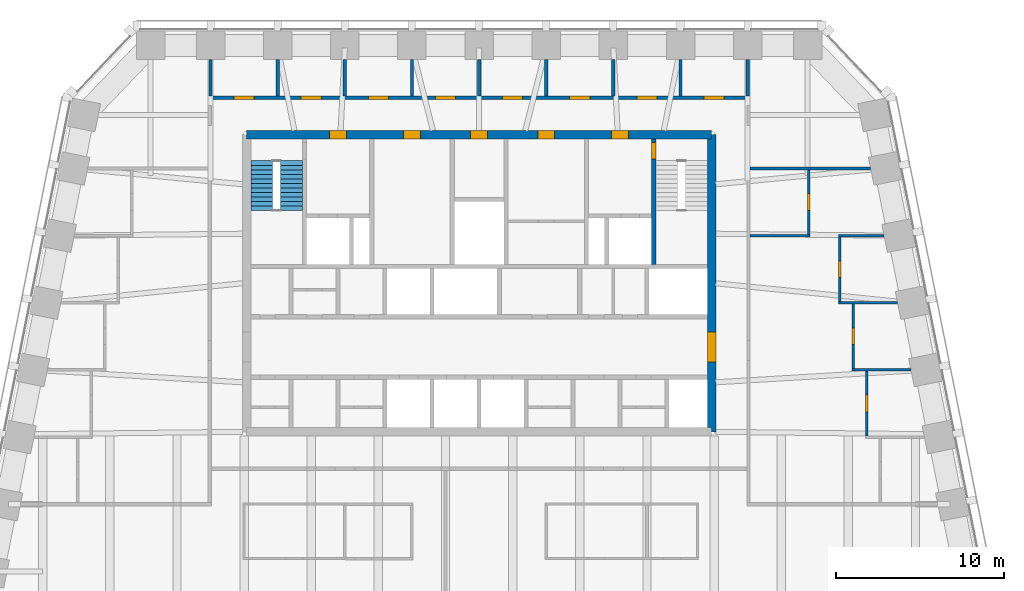
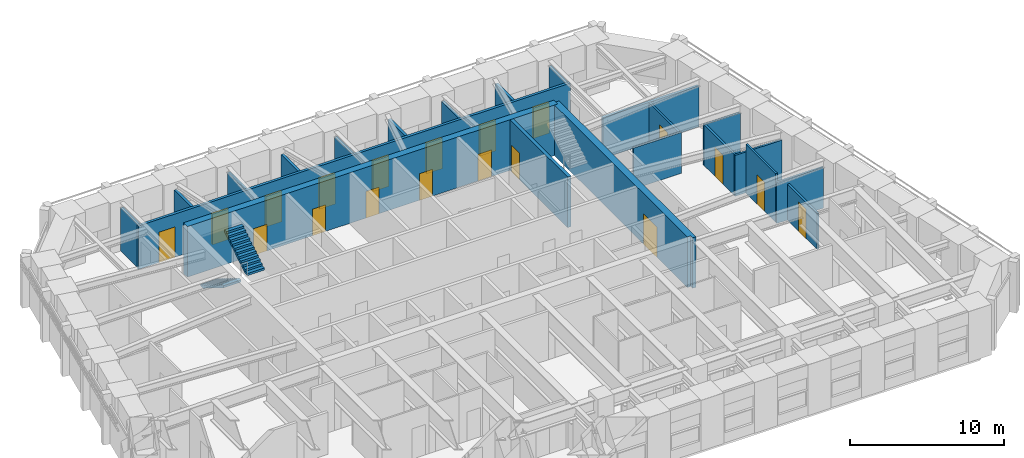
# One storey, part 9 of 13: 22 walls, 19 doors, 2 stair flights, 19 openings, 1 element without a shape of its own.
"""IFC4 building model written with IfcOpenShell, lengths in metres."""

import ifcopenshell
import ifcopenshell.guid

model = None  # the IFC model being written
_history = None  # IfcOwnerHistory: only IFC2X3 demands one
_inside = {}  # id of a spatial element -> (the spatial element, [elements in it])
_under = {}  # id of a project, library or spatial element -> (it, [spatial elements below it])
_declared = {}  # id of a project -> (the project, [libraries it declares])
_typed = {}  # id of a type object -> (the type object, [elements of that type])
_made_of = {}  # id of a material, layer set ... -> (it, [elements and type objects made of it])


def new_model(schema):
    """Start an empty IFC model of exactly this schema.

    Asked for "IFC4X3", IfcOpenShell would pick the latest addendum, in which some entities
    have other attributes; the version numbers below select the first issue.
    IFC2X3 requires an IfcOwnerHistory on every rooted entity: one is made here for all.
    """
    global model, _history
    if schema == "IFC4X3":
        model = ifcopenshell.file(schema_version=(4, 3, 0, 0))
    else:
        model = ifcopenshell.file(schema=schema)
    _inside.clear()
    _under.clear()
    _declared.clear()
    _typed.clear()
    _made_of.clear()
    _history = None
    if model.schema == "IFC2X3":
        org = make("IfcOrganization", Name="unknown")
        user = make(
            "IfcPersonAndOrganization",
            ThePerson=make("IfcPerson", FamilyName="unknown"),
            TheOrganization=org,
        )
        app = make(
            "IfcApplication",
            ApplicationDeveloper=org,
            Version="unknown",
            ApplicationFullName="unknown",
            ApplicationIdentifier="unknown",
        )
        _history = make(
            "IfcOwnerHistory",
            OwningUser=user,
            OwningApplication=app,
            ChangeAction="ADDED",
            CreationDate=0,
        )
    return model


def make(cls, **values):
    """One entity of the class cls with the attributes given. An attribute that is None is left unset."""
    return model.create_entity(
        cls, **{name: value for name, value in values.items() if value is not None}
    )


def rooted(cls, **values):
    """An entity with a GlobalId (a new one), such as an element, a storey or a relation."""
    return make(cls, GlobalId=ifcopenshell.guid.new(), OwnerHistory=_history, **values)


def si_unit(unit_type, name, prefix=None):
    """IfcSIUnit, for example si_unit("LENGTHUNIT", "METRE", prefix="MILLI")."""
    return make("IfcSIUnit", UnitType=unit_type, Prefix=prefix, Name=name)


def assignment(units):
    """IfcUnitAssignment: the units of a project."""
    return None if units is None else make("IfcUnitAssignment", Units=units)


def point(xyz):
    """IfcCartesianPoint."""
    return None if xyz is None else make("IfcCartesianPoint", Coordinates=xyz)


def direction(xyz):
    """IfcDirection."""
    return None if xyz is None else make("IfcDirection", DirectionRatios=xyz)


def frame(location, z_axis=None, x_axis=None):
    """IfcAxis2Placement3D, a coordinate frame: its origin and axes. An axis left out is left unset."""
    return make(
        "IfcAxis2Placement3D",
        Location=point(location),
        Axis=direction(z_axis),
        RefDirection=direction(x_axis),
    )


def frame_2d(location, x_axis=None):
    """IfcAxis2Placement2D, a coordinate frame in the plane: its origin and x axis."""
    return make(
        "IfcAxis2Placement2D", Location=point(location), RefDirection=direction(x_axis)
    )


def origin():
    """The frame at (0, 0, 0) with its axes left unset."""
    return frame((0.0, 0.0, 0.0))


def place(relative_to, where):
    """IfcLocalPlacement: puts the frame where relative to a parent placement (None: the world)."""
    return make(
        "IfcLocalPlacement", PlacementRelTo=relative_to, RelativePlacement=where
    )


def context(
    kind, dimensions, precision=None, world=None, true_north=None, identifier=None
):
    """IfcGeometricRepresentationContext, for example the 3D "Model" context."""
    return make(
        "IfcGeometricRepresentationContext",
        ContextIdentifier=identifier,
        ContextType=kind,
        CoordinateSpaceDimension=dimensions,
        Precision=precision,
        WorldCoordinateSystem=world,
        TrueNorth=true_north,
    )


def subcontext(parent, identifier, kind, view, scale=None):
    """IfcGeometricRepresentationSubContext, for example "Body" below "Model"."""
    return make(
        "IfcGeometricRepresentationSubContext",
        ContextIdentifier=identifier,
        ContextType=kind,
        ParentContext=parent,
        TargetScale=scale,
        TargetView=view,
    )


def project(units=None, contexts=None):
    """IfcProject with its units and contexts."""
    return rooted(
        "IfcProject",
        Name="project",
        RepresentationContexts=contexts,
        UnitsInContext=assignment(units),
    )


def spatial(cls, under=None, at=None, **own):
    """A site, building, storey or space (cls), placed at a placement, below another one or the project."""
    s = rooted(cls, ObjectPlacement=at, **own)
    if under is not None:
        _under.setdefault(under.id(), (under, []))[1].append(s)
    return s


def polyline(points):
    """IfcPolyline through the points."""
    return make("IfcPolyline", Points=[point(p) for p in points])


def profile(cls, at=None, kind="AREA", **sizes):
    """A parametric profile (cls). Its sizes go by their IFC names, for example OverallWidth=200.0."""
    return make(cls, ProfileType=kind, Position=at, **sizes)


def rectangle(**sizes):
    """IfcRectangleProfileDef."""
    return profile("IfcRectangleProfileDef", **sizes)


def outline(outer, holes=None, kind="AREA"):
    """IfcArbitraryClosedProfileDef: a profile drawn as a closed curve; with holes, ...WithVoids."""
    if holes is None:
        return make("IfcArbitraryClosedProfileDef", ProfileType=kind, OuterCurve=outer)
    return make(
        "IfcArbitraryProfileDefWithVoids",
        ProfileType=kind,
        OuterCurve=outer,
        InnerCurves=holes,
    )


def extrude(swept, where, along, depth):
    """IfcExtrudedAreaSolid: the profile swept, set in the frame where, extruded along a direction by depth."""
    return make(
        "IfcExtrudedAreaSolid",
        SweptArea=swept,
        Position=where,
        ExtrudedDirection=direction(along),
        Depth=depth,
    )


def shape(context_of_items, identifier, shape_type, items):
    """IfcShapeRepresentation: the items that make up one representation, for example the "Body"."""
    return make(
        "IfcShapeRepresentation",
        ContextOfItems=context_of_items,
        RepresentationIdentifier=identifier,
        RepresentationType=shape_type,
        Items=items,
    )


def material(Name=None, Category=None):
    """IfcMaterial."""
    return make("IfcMaterial", Name=Name, Category=Category)


def layer(
    of_material, thickness, ventilated=None, Name=None, Category=None, Priority=None
):
    """IfcMaterialLayer: one layer of a wall or slab, of a material (None: an air gap)."""
    return make(
        "IfcMaterialLayer",
        Material=of_material,
        LayerThickness=thickness,
        IsVentilated=ventilated,
        Name=Name,
        Category=Category,
        Priority=Priority,
    )


def layer_set(layers, Name=None):
    """IfcMaterialLayerSet."""
    return make("IfcMaterialLayerSet", MaterialLayers=layers, LayerSetName=Name)


def made_of(thing, what):
    """Note that an element or type object is made of a material, layer set ...; save() writes the relation."""
    if what is not None:
        _made_of.setdefault(what.id(), (what, []))[1].append(thing)
    return thing


def type_object(cls, material=None, **own):
    """A type object (cls), such as IfcWallType, which elements share."""
    return made_of(rooted(cls, **own), material)


def element(
    cls,
    number,
    at=None,
    inside=None,
    cuts=None,
    type_object=None,
    material=None,
    context=None,
    identifier="Body",
    shape_type=None,
    held_by="IfcProductDefinitionShape",
    body=None,
    shapes=None,
    **own,
):
    """One element of the class cls, such as IfcWall. Its Tag is "e" and its number.

    at: its placement. inside: the storey or other place that contains it. cuts: it is an
    opening in that element (IfcRelVoidsElement). A single representation is given by context,
    identifier, shape_type and body (its items); several are given by shapes. held_by: the class
    of the entity that holds the representations. save() writes the other relations.
    """
    e = rooted(cls, Tag="e%d" % number, ObjectPlacement=at, **own)
    if body is not None:
        shapes = [shape(context, identifier, shape_type, body)]
    if shapes is not None:
        e.Representation = make(held_by, Representations=shapes)
    if inside is not None:
        _inside.setdefault(inside.id(), (inside, []))[1].append(e)
    if cuts is not None:
        rooted(
            "IfcRelVoidsElement", RelatingBuildingElement=cuts, RelatedOpeningElement=e
        )
    if type_object is not None:
        _typed.setdefault(type_object.id(), (type_object, []))[1].append(e)
    return made_of(e, material)


def fill(opening, filler):
    """IfcRelFillsElement: the door or window that sits in an opening."""
    return rooted(
        "IfcRelFillsElement",
        RelatingOpeningElement=opening,
        RelatedBuildingElement=filler,
    )


def aggregate(whole, parts):
    """IfcRelAggregates: a whole, such as a stair, and the parts it consists of."""
    return rooted("IfcRelAggregates", RelatingObject=whole, RelatedObjects=parts)


def save(model, path):
    """Write the relations noted so far, then the file.

    IfcRelAggregates (storeys below a building ...), IfcRelContainedInSpatialStructure (elements
    in a storey), IfcRelDefinesByType, IfcRelAssociatesMaterial and IfcRelDeclares: one each for
    every whole, place, type object, material and project.
    """
    for whole, parts in _under.values():
        aggregate(whole, parts)
    for where, things in _inside.values():
        rooted(
            "IfcRelContainedInSpatialStructure",
            RelatedElements=things,
            RelatingStructure=where,
        )
    for kind, things in _typed.values():
        rooted("IfcRelDefinesByType", RelatedObjects=things, RelatingType=kind)
    for what, things in _made_of.values():
        rooted("IfcRelAssociatesMaterial", RelatedObjects=things, RelatingMaterial=what)
    for by, libraries in _declared.values():
        rooted("IfcRelDeclares", RelatingContext=by, RelatedDefinitions=libraries)
    model.write(path)


model = new_model("IFC4")

# Units and contexts
model_context = context("Model", 3, precision=1e-05, world=origin(), true_north=direction((0.0, 1.0)))
body_context = subcontext(model_context, "Body", "Model", "MODEL_VIEW")
ifc_project = project(units=[si_unit("LENGTHUNIT", "METRE"), si_unit("AREAUNIT", "SQUARE_METRE"), si_unit("VOLUMEUNIT", "CUBIC_METRE"), si_unit("PLANEANGLEUNIT", "RADIAN"), si_unit("MASSUNIT", "GRAM", prefix="KILO")], contexts=[model_context])

# Site, building, storey
site_placement = place(None, origin())
site = spatial("IfcSite", under=ifc_project, at=site_placement, CompositionType="ELEMENT")
building_placement = place(site_placement, origin())
building = spatial("IfcBuilding", under=site, at=building_placement, Name="Isbrekke Arena Tower", CompositionType="ELEMENT")
storey_placement = place(building_placement, frame((0.0, 0.0, 280.0)))
storey = spatial("IfcBuildingStorey", under=building, at=storey_placement, Name="L65", CompositionType="ELEMENT", Elevation=280.0)

# Wall, opening, door
ifc_material_1 = material(Name="Concrete B55 (C55/67)", Category="concrete")
ifc_layer_1 = layer(ifc_material_1, 0.5)
ifc_layer_set_1 = layer_set([ifc_layer_1], Name="CW5 CORE WALL 500")
wall_type_1 = type_object("IfcWallType", Name="CW5 CORE WALL 500", PredefinedType="SHEAR", material=ifc_layer_set_1)
wall_1_placement = place(storey_placement, frame((13.85009765625, 6.14990234375, 0.0), z_axis=(0.0, 0.0, 1.0), x_axis=(0.0, 1.0, 0.0)))
wall_1 = element("IfcWall", 1, at=wall_1_placement, inside=storey, type_object=wall_type_1, Name="Core wall E L65", PredefinedType="SHEAR", context=body_context, shape_type="SweptSolid", body=[
    extrude(outline(polyline([(0.0, -0.25), (17.7001953125, -0.25), (17.7001953125, 0.0), (17.4501953125, 0.0), (17.4501953125, 0.25), (0.25, 0.25), (0.25, 0.0), (0.0, 0.0), (0.0, -0.25)])), origin(), (0.0, 0.0, 1.0), 4.0),
])
opening_1_placement = place(wall_1_placement, frame((4.14990234375, 0.0, 0.0)))
opening_1 = element("IfcOpeningElement", 2, at=opening_1_placement, cuts=wall_1, Name="Opening D1", PredefinedType="OPENING", context=body_context, shape_type="SweptSolid", body=[
    extrude(rectangle(XDim=1.800048828125, YDim=2.39990234375, at=frame_2d((0.89990234375, 1.199951171875))), frame((0.0, 0.264892578125, 0.0), z_axis=(0.0, -1.0, 0.0), x_axis=(1.0, 0.0, 0.0)), (0.0, 0.0, 1.0), 0.52978515625),
])
ifc_material_2 = material(Name="Steel-framed glazed fire door", Category="steel")
door_type_1 = type_object("IfcDoorType", Name="D1 CORE LOBBY DOOR 1800 x 2400", OperationType="DOUBLE_DOOR_SINGLE_SWING", PredefinedType="DOOR", material=ifc_material_2)
door_1_placement = place(opening_1_placement, origin())
door_1 = element("IfcDoor", 3, at=door_1_placement, inside=storey, type_object=door_type_1, Name="D1 lift lobby door east L65", OperationType="DOUBLE_DOOR_SINGLE_SWING", OverallHeight=2.39990234375, OverallWidth=1.800048828125, PredefinedType="DOOR", context=body_context, shape_type="SweptSolid", body=[
    extrude(rectangle(XDim=1.800048828125, YDim=2.39990234375, at=frame_2d((0.89990234375, 1.199951171875))), frame((0.0, 0.249755859375, 0.0), z_axis=(0.0, -1.0, 0.0), x_axis=(1.0, 0.0, 0.0)), (0.0, 0.0, 1.0), 0.49951171875),
])
fill(opening_1, door_1)

# Wall, openings, doors
wall_2_placement = place(storey_placement, frame((13.85009765625, 23.85009765625, 0.0), z_axis=(0.0, 0.0, 1.0), x_axis=(-1.0, 0.0, 0.0)))
wall_2 = element("IfcWall", 4, at=wall_2_placement, inside=storey, type_object=wall_type_1, Name="Core wall N L65", PredefinedType="SHEAR", context=body_context, shape_type="SweptSolid", body=[
    extrude(rectangle(XDim=27.7001953125, YDim=0.5, at=frame_2d((13.85009765625, 0.0))), origin(), (0.0, 0.0, 1.0), 4.0),
])
opening_2_placement = place(wall_2_placement, frame((21.75, 0.0, 0.0)))
opening_2 = element("IfcOpeningElement", 5, at=opening_2_placement, cuts=wall_2, Name="Opening D3", PredefinedType="OPENING", context=body_context, shape_type="SweptSolid", body=[
    extrude(rectangle(XDim=1.0, YDim=2.10009765625, at=frame_2d((0.5, 1.050048828125))), frame((0.0, 0.264892578125, 0.0), z_axis=(0.0, -1.0, 0.0), x_axis=(1.0, 0.0, 0.0)), (0.0, 0.0, 1.0), 0.52978515625),
])
opening_3_placement = place(wall_2_placement, frame((4.949951171875, 0.0, 0.0)))
opening_3 = element("IfcOpeningElement", 6, at=opening_3_placement, cuts=wall_2, Name="Opening D3", PredefinedType="OPENING", context=body_context, shape_type="SweptSolid", body=[
    extrude(rectangle(XDim=1.0, YDim=2.10009765625, at=frame_2d((0.5, 1.050048828125))), frame((0.0, 0.264892578125, 0.0), z_axis=(0.0, -1.0, 0.0), x_axis=(1.0, 0.0, 0.0)), (0.0, 0.0, 1.0), 0.52978515625),
])
opening_4_placement = place(wall_2_placement, frame((17.35009765625, 0.0, 0.0)))
opening_4 = element("IfcOpeningElement", 7, at=opening_4_placement, cuts=wall_2, Name="Opening D4", PredefinedType="OPENING", context=body_context, shape_type="SweptSolid", body=[
    extrude(rectangle(XDim=1.0, YDim=2.10009765625, at=frame_2d((0.5, 1.050048828125))), frame((0.0, 0.264892578125, 0.0), z_axis=(0.0, -1.0, 0.0), x_axis=(1.0, 0.0, 0.0)), (0.0, 0.0, 1.0), 0.52978515625),
])
opening_5_placement = place(wall_2_placement, frame((13.35009765625, 0.0, 0.0)))
opening_5 = element("IfcOpeningElement", 8, at=opening_5_placement, cuts=wall_2, Name="Opening D4", PredefinedType="OPENING", context=body_context, shape_type="SweptSolid", body=[
    extrude(rectangle(XDim=1.0, YDim=2.10009765625, at=frame_2d((0.5, 1.050048828125))), frame((0.0, 0.264892578125, 0.0), z_axis=(0.0, -1.0, 0.0), x_axis=(1.0, 0.0, 0.0)), (0.0, 0.0, 1.0), 0.52978515625),
])
opening_6_placement = place(wall_2_placement, frame((9.35009765625, 0.0, 0.0)))
opening_6 = element("IfcOpeningElement", 9, at=opening_6_placement, cuts=wall_2, Name="Opening D4", PredefinedType="OPENING", context=body_context, shape_type="SweptSolid", body=[
    extrude(rectangle(XDim=1.0, YDim=2.10009765625, at=frame_2d((0.5, 1.050048828125))), frame((0.0, 0.264892578125, 0.0), z_axis=(0.0, -1.0, 0.0), x_axis=(1.0, 0.0, 0.0)), (0.0, 0.0, 1.0), 0.52978515625),
])
ifc_material_3 = material(Name="Steel fire door", Category="steel")
door_type_2 = type_object("IfcDoorType", Name="D3 FIRE LOBBY DOOR 1000 x 2100", OperationType="SINGLE_SWING_RIGHT", PredefinedType="DOOR", material=ifc_material_3)
door_2_placement = place(opening_2_placement, origin())
door_2 = element("IfcDoor", 10, at=door_2_placement, inside=storey, type_object=door_type_2, Name="D3 fire-fighting lobby door L65", OperationType="SINGLE_SWING_RIGHT", OverallHeight=2.10009765625, OverallWidth=1.0, PredefinedType="DOOR", context=body_context, shape_type="SweptSolid", body=[
    extrude(rectangle(XDim=1.0, YDim=2.10009765625, at=frame_2d((0.5, 1.050048828125))), frame((0.0, 0.249755859375, 0.0), z_axis=(0.0, -1.0, 0.0), x_axis=(1.0, 0.0, 0.0)), (0.0, 0.0, 1.0), 0.49951171875),
])
fill(opening_2, door_2)
door_3_placement = place(opening_3_placement, origin())
door_3 = element("IfcDoor", 11, at=door_3_placement, inside=storey, type_object=door_type_2, Name="D3 fire-fighting lobby door L65", OperationType="SINGLE_SWING_RIGHT", OverallHeight=2.10009765625, OverallWidth=1.0, PredefinedType="DOOR", context=body_context, shape_type="SweptSolid", body=[
    extrude(rectangle(XDim=1.0, YDim=2.10009765625, at=frame_2d((0.5, 1.050048828125))), frame((0.0, 0.249755859375, 0.0), z_axis=(0.0, -1.0, 0.0), x_axis=(1.0, 0.0, 0.0)), (0.0, 0.0, 1.0), 0.49951171875),
])
fill(opening_3, door_3)
ifc_material_4 = material(Name="Timber door", Category="wood")
door_type_3 = type_object("IfcDoorType", Name="D4 WC DOOR 1000 x 2100", OperationType="SINGLE_SWING_LEFT", PredefinedType="DOOR", material=ifc_material_4)
door_4_placement = place(opening_4_placement, origin())
door_4 = element("IfcDoor", 12, at=door_4_placement, inside=storey, type_object=door_type_3, Name="D4 wc female door L65", OperationType="SINGLE_SWING_LEFT", OverallHeight=2.10009765625, OverallWidth=1.0, PredefinedType="DOOR", context=body_context, shape_type="SweptSolid", body=[
    extrude(rectangle(XDim=1.0, YDim=2.10009765625, at=frame_2d((0.5, 1.050048828125))), frame((0.0, 0.249755859375, 0.0), z_axis=(0.0, -1.0, 0.0), x_axis=(1.0, 0.0, 0.0)), (0.0, 0.0, 1.0), 0.49951171875),
])
fill(opening_4, door_4)
door_5_placement = place(opening_5_placement, origin())
door_5 = element("IfcDoor", 13, at=door_5_placement, inside=storey, type_object=door_type_3, Name="D4 accessible wc door L65", OperationType="SINGLE_SWING_LEFT", OverallHeight=2.10009765625, OverallWidth=1.0, PredefinedType="DOOR", context=body_context, shape_type="SweptSolid", body=[
    extrude(rectangle(XDim=1.0, YDim=2.10009765625, at=frame_2d((0.5, 1.050048828125))), frame((0.0, 0.249755859375, 0.0), z_axis=(0.0, -1.0, 0.0), x_axis=(1.0, 0.0, 0.0)), (0.0, 0.0, 1.0), 0.49951171875),
])
fill(opening_5, door_5)
door_6_placement = place(opening_6_placement, origin())
door_6 = element("IfcDoor", 14, at=door_6_placement, inside=storey, type_object=door_type_3, Name="D4 wc male door L65", OperationType="SINGLE_SWING_LEFT", OverallHeight=2.10009765625, OverallWidth=1.0, PredefinedType="DOOR", context=body_context, shape_type="SweptSolid", body=[
    extrude(rectangle(XDim=1.0, YDim=2.10009765625, at=frame_2d((0.5, 1.050048828125))), frame((0.0, 0.249755859375, 0.0), z_axis=(0.0, -1.0, 0.0), x_axis=(1.0, 0.0, 0.0)), (0.0, 0.0, 1.0), 0.49951171875),
])
fill(opening_6, door_6)

# Wall, opening, door
ifc_material_5 = material(Name="Concrete B45 (C45/55)", Category="concrete")
ifc_layer_2 = layer(ifc_material_5, 0.25)
ifc_layer_set_2 = layer_set([ifc_layer_2], Name="CW6 SHAFT WALL 250")
wall_type_2 = type_object("IfcWallType", Name="CW6 SHAFT WALL 250", PredefinedType="SHEAR", material=ifc_layer_set_2)
wall_3_placement = place(storey_placement, frame((10.39990234375, 16.125, 0.0), z_axis=(0.0, 0.0, 1.0), x_axis=(0.0, 1.0, 0.0)))
wall_3 = element("IfcWall", 15, at=wall_3_placement, inside=storey, type_object=wall_type_2, Name="Core wall NV06 L65", PredefinedType="SHEAR", context=body_context, shape_type="SweptSolid", body=[
    extrude(rectangle(XDim=7.47509765625, YDim=0.25, at=frame_2d((3.737548828125, 0.0))), origin(), (0.0, 0.0, 1.0), 4.0),
])
opening_7_placement = place(wall_3_placement, frame((6.27490234375, 0.0, 0.0)))
opening_7 = element("IfcOpeningElement", 16, at=opening_7_placement, cuts=wall_3, Name="Opening D2", PredefinedType="OPENING", context=body_context, shape_type="SweptSolid", body=[
    extrude(rectangle(XDim=1.0, YDim=2.10009765625, at=frame_2d((0.5, 1.050048828125))), frame((0.0, 0.139892578125, 0.0), z_axis=(0.0, -1.0, 0.0), x_axis=(1.0, 0.0, 0.0)), (0.0, 0.0, 1.0), 0.27978515625),
])
ifc_material_6 = material(Name="Steel fire door", Category="steel")
door_type_4 = type_object("IfcDoorType", Name="D2 STAIR DOOR 1000 x 2100", OperationType="SINGLE_SWING_LEFT", PredefinedType="DOOR", material=ifc_material_6)
door_7_placement = place(opening_7_placement, origin())
door_7 = element("IfcDoor", 17, at=door_7_placement, inside=storey, type_object=door_type_4, Name="D2 stair door ST2 L65", OperationType="SINGLE_SWING_LEFT", OverallHeight=2.10009765625, OverallWidth=1.0, PredefinedType="DOOR", context=body_context, shape_type="SweptSolid", body=[
    extrude(rectangle(XDim=1.0, YDim=2.10009765625, at=frame_2d((0.5, 1.050048828125))), frame((0.0, 0.124755859375, 0.0), z_axis=(0.0, -1.0, 0.0), x_axis=(1.0, 0.0, 0.0)), (0.0, 0.0, 1.0), 0.24951171875),
])
fill(opening_7, door_7)

# Walls
ifc_material_7 = material(Name="Gypsum board partition on steel studs", Category="steel")
ifc_layer_3 = layer(ifc_material_7, 0.14990234375)
ifc_layer_set_3 = layer_set([ifc_layer_3], Name="IW1 PARTITION 150")
wall_type_3 = type_object("IfcWallType", Name="IW1 PARTITION 150", PredefinedType="PARTITIONING", material=ifc_layer_set_3)
for number, where, z_axis, x_axis, name in (
    (18, (22.22509765625, 9.840087890625, 0.0), (0.0, 0.0, 1.0), (1.0, 0.0, 0.0), "IW1 partition 150 L65"),
    (19, (21.425048828125, 13.840087890625, 0.0), (0.0, 0.0, 1.0), (1.0, 0.0, 0.0), "IW1 partition 150 L65"),
):
    element("IfcWall", number, at=place(storey_placement, frame(where, z_axis=z_axis, x_axis=x_axis)), inside=storey, type_object=wall_type_3, Name=name, PredefinedType="PARTITIONING", context=body_context, shape_type="SweptSolid", body=[
        extrude(rectangle(XDim=3.498779296875, YDim=0.14990234375, at=frame_2d((1.74951171875, 0.0))), origin(), (0.0, 0.0, 1.0), 3.22998046875),
    ])
wall_4_placement = place(storey_placement, frame((16.14990234375, 17.840087890625, 0.0), z_axis=(0.0, 0.0, 1.0), x_axis=(1.0, 0.0, 0.0)))
element("IfcWall", 20, at=wall_4_placement, inside=storey, type_object=wall_type_3, Name="IW1 partition 150 L65", PredefinedType="PARTITIONING", context=body_context, shape_type="SweptSolid", body=[
    extrude(rectangle(XDim=3.5751953125, YDim=0.14990234375, at=frame_2d((1.78759765625, 0.0))), origin(), (0.0, 0.0, 1.0), 3.22998046875),
])
wall_5_placement = place(storey_placement, frame((21.425048828125, 17.840087890625, 0.0), z_axis=(0.0, 0.0, 1.0), x_axis=(1.0, 0.0, 0.0)))
element("IfcWall", 21, at=wall_5_placement, inside=storey, type_object=wall_type_3, Name="IW1 partition 150 L65", PredefinedType="PARTITIONING", context=body_context, shape_type="SweptSolid", body=[
    extrude(rectangle(XDim=2.69873046875, YDim=0.14990234375, at=frame_2d((1.349365234375, 0.0))), origin(), (0.0, 0.0, 1.0), 3.22998046875),
])

# Wall, opening, door
wall_6_placement = place(storey_placement, frame((19.64990234375, 17.9150390625, 0.0), z_axis=(0.0, 0.0, 1.0), x_axis=(0.0, 1.0, 0.0)))
wall_6 = element("IfcWall", 22, at=wall_6_placement, inside=storey, type_object=wall_type_3, Name="IW1 partition 150 L65", PredefinedType="PARTITIONING", context=body_context, shape_type="SweptSolid", body=[
    extrude(rectangle(XDim=3.824951171875, YDim=0.14990234375, at=frame_2d((1.91259765625, 0.0))), origin(), (0.0, 0.0, 1.0), 3.22998046875),
])
opening_8_placement = place(wall_6_placement, frame((1.425048828125, 0.0, 0.0)))
opening_8 = element("IfcOpeningElement", 23, at=opening_8_placement, cuts=wall_6, Name="Opening D10", PredefinedType="OPENING", context=body_context, shape_type="SweptSolid", body=[
    extrude(rectangle(XDim=1.0, YDim=2.300048828125, at=frame_2d((0.5, 1.14990234375))), frame((0.0, 0.08984375, 0.0), z_axis=(0.0, -1.0, 0.0), x_axis=(1.0, 0.0, 0.0)), (0.0, 0.0, 1.0), 0.1796875),
])
ifc_material_8 = material(Name="Timber door", Category="wood")
door_type_5 = type_object("IfcDoorType", Name="D10 OFFICE DOOR 1000 x 2300", OperationType="SINGLE_SWING_LEFT", PredefinedType="DOOR", material=ifc_material_8)
door_8_placement = place(opening_8_placement, origin())
door_8 = element("IfcDoor", 24, at=door_8_placement, inside=storey, type_object=door_type_5, Name="D10 tea point door L65", OperationType="SINGLE_SWING_LEFT", OverallHeight=2.300048828125, OverallWidth=1.0, PredefinedType="DOOR", context=body_context, shape_type="SweptSolid", body=[
    extrude(rectangle(XDim=1.0, YDim=2.300048828125, at=frame_2d((0.5, 1.14990234375))), frame((0.0, 0.07470703125, 0.0), z_axis=(0.0, -1.0, 0.0), x_axis=(1.0, 0.0, 0.0)), (0.0, 0.0, 1.0), 0.1494140625),
])
fill(opening_8, door_8)

wall_7_placement = place(storey_placement, frame((21.5, 13.9150390625, 0.0), z_axis=(0.0, 0.0, 1.0), x_axis=(0.0, 1.0, 0.0)))
wall_7 = element("IfcWall", 25, at=wall_7_placement, inside=storey, type_object=wall_type_3, Name="IW1 partition 150 L65", PredefinedType="PARTITIONING", context=body_context, shape_type="SweptSolid", body=[
    extrude(rectangle(XDim=3.849853515625, YDim=0.14990234375, at=frame_2d((1.9248046875, 0.0))), origin(), (0.0, 0.0, 1.0), 3.22998046875),
])
opening_9_placement = place(wall_7_placement, frame((1.425048828125, 0.0, 0.0)))
opening_9 = element("IfcOpeningElement", 26, at=opening_9_placement, cuts=wall_7, Name="Opening D10", PredefinedType="OPENING", context=body_context, shape_type="SweptSolid", body=[
    extrude(rectangle(XDim=1.0, YDim=2.300048828125, at=frame_2d((0.5, 1.14990234375))), frame((0.0, 0.08984375, 0.0), z_axis=(0.0, -1.0, 0.0), x_axis=(1.0, 0.0, 0.0)), (0.0, 0.0, 1.0), 0.1796875),
])
door_9_placement = place(opening_9_placement, origin())
door_9 = element("IfcDoor", 27, at=door_9_placement, inside=storey, type_object=door_type_5, Name="D10 office door L65", OperationType="SINGLE_SWING_LEFT", OverallHeight=2.300048828125, OverallWidth=1.0, PredefinedType="DOOR", context=body_context, shape_type="SweptSolid", body=[
    extrude(rectangle(XDim=1.0, YDim=2.300048828125, at=frame_2d((0.5, 1.14990234375))), frame((0.0, 0.07470703125, 0.0), z_axis=(0.0, -1.0, 0.0), x_axis=(1.0, 0.0, 0.0)), (0.0, 0.0, 1.0), 0.1494140625),
])
fill(opening_9, door_9)

wall_8_placement = place(storey_placement, frame((22.300048828125, 9.9150390625, 0.0), z_axis=(0.0, 0.0, 1.0), x_axis=(0.0, 1.0, 0.0)))
wall_8 = element("IfcWall", 28, at=wall_8_placement, inside=storey, type_object=wall_type_3, Name="IW1 partition 150 L65", PredefinedType="PARTITIONING", context=body_context, shape_type="SweptSolid", body=[
    extrude(rectangle(XDim=3.849853515625, YDim=0.14990234375, at=frame_2d((1.9248046875, 0.0))), origin(), (0.0, 0.0, 1.0), 3.85009765625),
])
opening_10_placement = place(wall_8_placement, frame((1.425048828125, 0.0, 0.0)))
opening_10 = element("IfcOpeningElement", 29, at=opening_10_placement, cuts=wall_8, Name="Opening D10", PredefinedType="OPENING", context=body_context, shape_type="SweptSolid", body=[
    extrude(rectangle(XDim=1.0, YDim=2.300048828125, at=frame_2d((0.5, 1.14990234375))), frame((0.0, 0.08984375, 0.0), z_axis=(0.0, -1.0, 0.0), x_axis=(1.0, 0.0, 0.0)), (0.0, 0.0, 1.0), 0.1796875),
])
door_10_placement = place(opening_10_placement, origin())
door_10 = element("IfcDoor", 30, at=door_10_placement, inside=storey, type_object=door_type_5, Name="D10 office door L65", OperationType="SINGLE_SWING_LEFT", OverallHeight=2.300048828125, OverallWidth=1.0, PredefinedType="DOOR", context=body_context, shape_type="SweptSolid", body=[
    extrude(rectangle(XDim=1.0, YDim=2.300048828125, at=frame_2d((0.5, 1.14990234375))), frame((0.0, 0.07470703125, 0.0), z_axis=(0.0, -1.0, 0.0), x_axis=(1.0, 0.0, 0.0)), (0.0, 0.0, 1.0), 0.1494140625),
])
fill(opening_10, door_10)

wall_9_placement = place(storey_placement, frame((23.10009765625, 5.9150390625, 0.0), z_axis=(0.0, 0.0, 1.0), x_axis=(0.0, 1.0, 0.0)))
wall_9 = element("IfcWall", 31, at=wall_9_placement, inside=storey, type_object=wall_type_3, Name="IW1 partition 150 L65", PredefinedType="PARTITIONING", context=body_context, shape_type="SweptSolid", body=[
    extrude(rectangle(XDim=3.849853515625, YDim=0.14990234375, at=frame_2d((1.9248046875, 0.0))), origin(), (0.0, 0.0, 1.0), 2.842041015625),
])
opening_11_placement = place(wall_9_placement, frame((1.425048828125, 0.0, 0.0)))
opening_11 = element("IfcOpeningElement", 32, at=opening_11_placement, cuts=wall_9, Name="Opening D10", PredefinedType="OPENING", context=body_context, shape_type="SweptSolid", body=[
    extrude(rectangle(XDim=1.0, YDim=2.300048828125, at=frame_2d((0.5, 1.14990234375))), frame((0.0, 0.08984375, 0.0), z_axis=(0.0, -1.0, 0.0), x_axis=(1.0, 0.0, 0.0)), (0.0, 0.0, 1.0), 0.1796875),
])
door_11_placement = place(opening_11_placement, origin())
door_11 = element("IfcDoor", 33, at=door_11_placement, inside=storey, type_object=door_type_5, Name="D10 office door L65", OperationType="SINGLE_SWING_LEFT", OverallHeight=2.300048828125, OverallWidth=1.0, PredefinedType="DOOR", context=body_context, shape_type="SweptSolid", body=[
    extrude(rectangle(XDim=1.0, YDim=2.300048828125, at=frame_2d((0.5, 1.14990234375))), frame((0.0, 0.07470703125, 0.0), z_axis=(0.0, -1.0, 0.0), x_axis=(1.0, 0.0, 0.0)), (0.0, 0.0, 1.0), 0.1494140625),
])
fill(opening_11, door_11)

# Wall
ifc_material_9 = material(Name="Gypsum board fire-cell wall on steel studs, two layers each side", Category="steel")
ifc_layer_4 = layer(ifc_material_9, 0.199951171875)
ifc_layer_set_4 = layer_set([ifc_layer_4], Name="IW3 FIRE-CELL WALL 200")
wall_type_4 = type_object("IfcWallType", Name="IW3 FIRE-CELL WALL 200", PredefinedType="PARTITIONING", material=ifc_layer_set_4)
wall_10_placement = place(storey_placement, frame((16.14990234375, 21.840087890625, 0.0), z_axis=(0.0, 0.0, 1.0), x_axis=(1.0, 0.0, 0.0)))
element("IfcWall", 34, at=wall_10_placement, inside=storey, type_object=wall_type_4, Name="IW3 fire-cell wall 200 L65", PredefinedType="PARTITIONING", context=body_context, shape_type="SweptSolid", body=[
    extrude(rectangle(XDim=7.173828125, YDim=0.199951171875, at=frame_2d((3.5869140625, 0.0))), origin(), (0.0, 0.0, 1.0), 3.22998046875),
])

# Wall, openings, doors
wall_11_placement = place(storey_placement, frame((-16.14990234375, 26.050048828125, 0.0), z_axis=(0.0, 0.0, 1.0), x_axis=(1.0, 0.0, 0.0)))
wall_11 = element("IfcWall", 35, at=wall_11_placement, inside=storey, type_object=wall_type_4, Name="IW3 fire-cell wall 200 L65", PredefinedType="PARTITIONING", context=body_context, shape_type="SweptSolid", body=[
    extrude(rectangle(XDim=32.2998046875, YDim=0.199951171875, at=frame_2d((16.14990234375, 0.0))), origin(), (0.0, 0.0, 1.0), 3.41796875),
])
opening_12_placement = place(wall_11_placement, frame((1.550048828125, 0.0, 0.0)))
opening_12 = element("IfcOpeningElement", 36, at=opening_12_placement, cuts=wall_11, Name="Opening D12", PredefinedType="OPENING", context=body_context, shape_type="SweptSolid", body=[
    extrude(rectangle(XDim=1.199951171875, YDim=2.39990234375, at=frame_2d((0.60009765625, 1.199951171875))), frame((0.0, 0.11474609375, 0.0), z_axis=(0.0, -1.0, 0.0), x_axis=(1.0, 0.0, 0.0)), (0.0, 0.0, 1.0), 0.229736328125),
])
opening_13_placement = place(wall_11_placement, frame((5.550048828125, 0.0, 0.0)))
opening_13 = element("IfcOpeningElement", 37, at=opening_13_placement, cuts=wall_11, Name="Opening D12", PredefinedType="OPENING", context=body_context, shape_type="SweptSolid", body=[
    extrude(rectangle(XDim=1.199951171875, YDim=2.39990234375, at=frame_2d((0.60009765625, 1.199951171875))), frame((0.0, 0.11474609375, 0.0), z_axis=(0.0, -1.0, 0.0), x_axis=(1.0, 0.0, 0.0)), (0.0, 0.0, 1.0), 0.229736328125),
])
opening_14_placement = place(wall_11_placement, frame((9.550048828125, 0.0, 0.0)))
opening_14 = element("IfcOpeningElement", 38, at=opening_14_placement, cuts=wall_11, Name="Opening D12", PredefinedType="OPENING", context=body_context, shape_type="SweptSolid", body=[
    extrude(rectangle(XDim=1.199951171875, YDim=2.39990234375, at=frame_2d((0.60009765625, 1.199951171875))), frame((0.0, 0.11474609375, 0.0), z_axis=(0.0, -1.0, 0.0), x_axis=(1.0, 0.0, 0.0)), (0.0, 0.0, 1.0), 0.229736328125),
])
opening_15_placement = place(wall_11_placement, frame((13.550048828125, 0.0, 0.0)))
opening_15 = element("IfcOpeningElement", 39, at=opening_15_placement, cuts=wall_11, Name="Opening D12", PredefinedType="OPENING", context=body_context, shape_type="SweptSolid", body=[
    extrude(rectangle(XDim=1.199951171875, YDim=2.39990234375, at=frame_2d((0.60009765625, 1.199951171875))), frame((0.0, 0.11474609375, 0.0), z_axis=(0.0, -1.0, 0.0), x_axis=(1.0, 0.0, 0.0)), (0.0, 0.0, 1.0), 0.229736328125),
])
opening_16_placement = place(wall_11_placement, frame((17.550048828125, 0.0, 0.0)))
opening_16 = element("IfcOpeningElement", 40, at=opening_16_placement, cuts=wall_11, Name="Opening D12", PredefinedType="OPENING", context=body_context, shape_type="SweptSolid", body=[
    extrude(rectangle(XDim=1.199951171875, YDim=2.39990234375, at=frame_2d((0.60009765625, 1.199951171875))), frame((0.0, 0.11474609375, 0.0), z_axis=(0.0, -1.0, 0.0), x_axis=(1.0, 0.0, 0.0)), (0.0, 0.0, 1.0), 0.229736328125),
])
opening_17_placement = place(wall_11_placement, frame((21.550048828125, 0.0, 0.0)))
opening_17 = element("IfcOpeningElement", 41, at=opening_17_placement, cuts=wall_11, Name="Opening D12", PredefinedType="OPENING", context=body_context, shape_type="SweptSolid", body=[
    extrude(rectangle(XDim=1.199951171875, YDim=2.39990234375, at=frame_2d((0.60009765625, 1.199951171875))), frame((0.0, 0.11474609375, 0.0), z_axis=(0.0, -1.0, 0.0), x_axis=(1.0, 0.0, 0.0)), (0.0, 0.0, 1.0), 0.229736328125),
])
opening_18_placement = place(wall_11_placement, frame((25.550048828125, 0.0, 0.0)))
opening_18 = element("IfcOpeningElement", 42, at=opening_18_placement, cuts=wall_11, Name="Opening D12", PredefinedType="OPENING", context=body_context, shape_type="SweptSolid", body=[
    extrude(rectangle(XDim=1.199951171875, YDim=2.39990234375, at=frame_2d((0.60009765625, 1.199951171875))), frame((0.0, 0.11474609375, 0.0), z_axis=(0.0, -1.0, 0.0), x_axis=(1.0, 0.0, 0.0)), (0.0, 0.0, 1.0), 0.229736328125),
])
opening_19_placement = place(wall_11_placement, frame((29.550048828125, 0.0, 0.0)))
opening_19 = element("IfcOpeningElement", 43, at=opening_19_placement, cuts=wall_11, Name="Opening D12", PredefinedType="OPENING", context=body_context, shape_type="SweptSolid", body=[
    extrude(rectangle(XDim=1.199951171875, YDim=2.39990234375, at=frame_2d((0.60009765625, 1.199951171875))), frame((0.0, 0.11474609375, 0.0), z_axis=(0.0, -1.0, 0.0), x_axis=(1.0, 0.0, 0.0)), (0.0, 0.0, 1.0), 0.229736328125),
])
ifc_material_10 = material(Name="Timber fire door with vision panel", Category="wood")
door_type_6 = type_object("IfcDoorType", Name="D12 SUITE ENTRANCE DOOR 1200 x 2400", OperationType="SINGLE_SWING_LEFT", PredefinedType="DOOR", material=ifc_material_10)
door_12_placement = place(opening_12_placement, origin())
door_12 = element("IfcDoor", 44, at=door_12_placement, inside=storey, type_object=door_type_6, Name="D12 suite entrance NB1 door L65", OperationType="SINGLE_SWING_LEFT", OverallHeight=2.39990234375, OverallWidth=1.199951171875, PredefinedType="DOOR", context=body_context, shape_type="SweptSolid", body=[
    extrude(rectangle(XDim=1.199951171875, YDim=2.39990234375, at=frame_2d((0.60009765625, 1.199951171875))), frame((0.0, 0.099609375, 0.0), z_axis=(0.0, -1.0, 0.0), x_axis=(1.0, 0.0, 0.0)), (0.0, 0.0, 1.0), 0.199462890625),
])
fill(opening_12, door_12)
door_13_placement = place(opening_13_placement, origin())
door_13 = element("IfcDoor", 45, at=door_13_placement, inside=storey, type_object=door_type_6, Name="D12 suite entrance NB2 door L65", OperationType="SINGLE_SWING_LEFT", OverallHeight=2.39990234375, OverallWidth=1.199951171875, PredefinedType="DOOR", context=body_context, shape_type="SweptSolid", body=[
    extrude(rectangle(XDim=1.199951171875, YDim=2.39990234375, at=frame_2d((0.60009765625, 1.199951171875))), frame((0.0, 0.099609375, 0.0), z_axis=(0.0, -1.0, 0.0), x_axis=(1.0, 0.0, 0.0)), (0.0, 0.0, 1.0), 0.199462890625),
])
fill(opening_13, door_13)
door_14_placement = place(opening_14_placement, origin())
door_14 = element("IfcDoor", 46, at=door_14_placement, inside=storey, type_object=door_type_6, Name="D12 suite entrance NB3 door L65", OperationType="SINGLE_SWING_LEFT", OverallHeight=2.39990234375, OverallWidth=1.199951171875, PredefinedType="DOOR", context=body_context, shape_type="SweptSolid", body=[
    extrude(rectangle(XDim=1.199951171875, YDim=2.39990234375, at=frame_2d((0.60009765625, 1.199951171875))), frame((0.0, 0.099609375, 0.0), z_axis=(0.0, -1.0, 0.0), x_axis=(1.0, 0.0, 0.0)), (0.0, 0.0, 1.0), 0.199462890625),
])
fill(opening_14, door_14)
door_15_placement = place(opening_15_placement, origin())
door_15 = element("IfcDoor", 47, at=door_15_placement, inside=storey, type_object=door_type_6, Name="D12 suite entrance NB4 door L65", OperationType="SINGLE_SWING_LEFT", OverallHeight=2.39990234375, OverallWidth=1.199951171875, PredefinedType="DOOR", context=body_context, shape_type="SweptSolid", body=[
    extrude(rectangle(XDim=1.199951171875, YDim=2.39990234375, at=frame_2d((0.60009765625, 1.199951171875))), frame((0.0, 0.099609375, 0.0), z_axis=(0.0, -1.0, 0.0), x_axis=(1.0, 0.0, 0.0)), (0.0, 0.0, 1.0), 0.199462890625),
])
fill(opening_15, door_15)
door_16_placement = place(opening_16_placement, origin())
door_16 = element("IfcDoor", 48, at=door_16_placement, inside=storey, type_object=door_type_6, Name="D12 suite entrance NB5 door L65", OperationType="SINGLE_SWING_LEFT", OverallHeight=2.39990234375, OverallWidth=1.199951171875, PredefinedType="DOOR", context=body_context, shape_type="SweptSolid", body=[
    extrude(rectangle(XDim=1.199951171875, YDim=2.39990234375, at=frame_2d((0.60009765625, 1.199951171875))), frame((0.0, 0.099609375, 0.0), z_axis=(0.0, -1.0, 0.0), x_axis=(1.0, 0.0, 0.0)), (0.0, 0.0, 1.0), 0.199462890625),
])
fill(opening_16, door_16)
door_17_placement = place(opening_17_placement, origin())
door_17 = element("IfcDoor", 49, at=door_17_placement, inside=storey, type_object=door_type_6, Name="D12 suite entrance NB6 door L65", OperationType="SINGLE_SWING_LEFT", OverallHeight=2.39990234375, OverallWidth=1.199951171875, PredefinedType="DOOR", context=body_context, shape_type="SweptSolid", body=[
    extrude(rectangle(XDim=1.199951171875, YDim=2.39990234375, at=frame_2d((0.60009765625, 1.199951171875))), frame((0.0, 0.099609375, 0.0), z_axis=(0.0, -1.0, 0.0), x_axis=(1.0, 0.0, 0.0)), (0.0, 0.0, 1.0), 0.199462890625),
])
fill(opening_17, door_17)
door_18_placement = place(opening_18_placement, origin())
door_18 = element("IfcDoor", 50, at=door_18_placement, inside=storey, type_object=door_type_6, Name="D12 suite entrance NB7 door L65", OperationType="SINGLE_SWING_LEFT", OverallHeight=2.39990234375, OverallWidth=1.199951171875, PredefinedType="DOOR", context=body_context, shape_type="SweptSolid", body=[
    extrude(rectangle(XDim=1.199951171875, YDim=2.39990234375, at=frame_2d((0.60009765625, 1.199951171875))), frame((0.0, 0.099609375, 0.0), z_axis=(0.0, -1.0, 0.0), x_axis=(1.0, 0.0, 0.0)), (0.0, 0.0, 1.0), 0.199462890625),
])
fill(opening_18, door_18)
door_19_placement = place(opening_19_placement, origin())
door_19 = element("IfcDoor", 51, at=door_19_placement, inside=storey, type_object=door_type_6, Name="D12 suite entrance NB8 door L65", OperationType="SINGLE_SWING_LEFT", OverallHeight=2.39990234375, OverallWidth=1.199951171875, PredefinedType="DOOR", context=body_context, shape_type="SweptSolid", body=[
    extrude(rectangle(XDim=1.199951171875, YDim=2.39990234375, at=frame_2d((0.60009765625, 1.199951171875))), frame((0.0, 0.099609375, 0.0), z_axis=(0.0, -1.0, 0.0), x_axis=(1.0, 0.0, 0.0)), (0.0, 0.0, 1.0), 0.199462890625),
])
fill(opening_19, door_19)

# Walls
for number, where, z_axis, x_axis, name in (
    (52, (-16.0, 26.14990234375, 0.0), (0.0, 0.0, 1.0), (0.0, 1.0, 0.0), "IW3 fire-cell wall 200 L65"),
    (53, (-12.0, 26.14990234375, 0.0), (0.0, 0.0, 1.0), (0.0, 1.0, 0.0), "IW3 fire-cell wall 200 L65"),
    (54, (-8.0, 26.14990234375, 0.0), (0.0, 0.0, 1.0), (0.0, 1.0, 0.0), "IW3 fire-cell wall 200 L65"),
    (55, (-4.0, 26.14990234375, 0.0), (0.0, 0.0, 1.0), (0.0, 1.0, 0.0), "IW3 fire-cell wall 200 L65"),
    (56, (0.0, 26.14990234375, 0.0), (0.0, 0.0, 1.0), (0.0, 1.0, 0.0), "IW3 fire-cell wall 200 L65"),
    (57, (4.0, 26.14990234375, 0.0), (0.0, 0.0, 1.0), (0.0, 1.0, 0.0), "IW3 fire-cell wall 200 L65"),
    (58, (8.0, 26.14990234375, 0.0), (0.0, 0.0, 1.0), (0.0, 1.0, 0.0), "IW3 fire-cell wall 200 L65"),
    (59, (12.0, 26.14990234375, 0.0), (0.0, 0.0, 1.0), (0.0, 1.0, 0.0), "IW3 fire-cell wall 200 L65"),
    (60, (16.0, 26.14990234375, 0.0), (0.0, 0.0, 1.0), (0.0, 1.0, 0.0), "IW3 fire-cell wall 200 L65"),
):
    element("IfcWall", number, at=place(storey_placement, frame(where, z_axis=z_axis, x_axis=x_axis)), inside=storey, type_object=wall_type_4, Name=name, PredefinedType="PARTITIONING", context=body_context, shape_type="SweptSolid", body=[
        extrude(rectangle(XDim=2.175048828125, YDim=0.199951171875, at=frame_2d((1.08740234375, 0.0))), origin(), (0.0, 0.0, 1.0), 3.41796875),
    ])

# Stair, stair flights
ifc_material_11 = material(Name="Concrete B45 (C45/55) precast", Category="concrete")
stair_type = type_object("IfcStairType", Name="ST40 STAIR 1300 WIDE, 24 RISERS 167", PredefinedType="HALF_TURN_STAIR", material=ifc_material_11)
stair_placement = place(storey_placement, origin())
stair = element("IfcStair", 61, at=stair_placement, inside=storey, type_object=stair_type, Name="ST1 stair L65", PredefinedType="HALF_TURN_STAIR")
ifc_material_12 = material(Name="Concrete B45 (C45/55) precast", Category="concrete")
stair_flight_type = type_object("IfcStairFlightType", Name="SF 1300 FLIGHT", PredefinedType="STRAIGHT", material=ifc_material_12)
stair_flight_1_placement = place(storey_placement, frame((-12.949951171875, 22.300048828125, 0.0), z_axis=(0.0, 0.0, 1.0), x_axis=(0.0, -1.0, 0.0)))
stair_flight_1 = element("IfcStairFlight", 62, at=stair_flight_1_placement, type_object=stair_flight_type, Name="ST1 flight 1", NumberOfRisers=12, NumberOfTreads=11, PredefinedType="STRAIGHT", RiserHeight=0.166666667, TreadLength=0.27, context=body_context, shape_type="SweptSolid", body=[
    extrude(outline(polyline([(0.0, 0.0), (0.0, 0.166748046875), (0.27001953125, 0.166748046875), (0.27001953125, 0.333251953125), (0.5400390625, 0.333251953125), (0.5400390625, 0.5), (0.81005859375, 0.5), (0.81005859375, 0.666748046875), (1.080078125, 0.666748046875), (1.080078125, 0.833251953125), (1.35009765625, 0.833251953125), (1.35009765625, 1.0), (1.6201171875, 1.0), (1.6201171875, 1.166748046875), (1.889892578125, 1.166748046875), (1.889892578125, 1.333251953125), (2.159912109375, 1.333251953125), (2.159912109375, 1.5), (2.429931640625, 1.5), (2.429931640625, 1.666748046875), (2.699951171875, 1.666748046875), (2.699951171875, 1.833251953125), (2.969970703125, 1.833251953125), (2.969970703125, 2.0), (2.969970703125, 1.6572265625), (0.285400390625, 0.0), (0.0, 0.0)])), frame((0.0, 0.64990234375, 0.0), z_axis=(0.0, -1.0, 0.0), x_axis=(1.0, 0.0, 0.0)), (0.0, 0.0, 1.0), 1.300048828125),
])
stair_flight_2_placement = place(storey_placement, frame((-11.175048828125, 19.330078125, 2.0), z_axis=(0.0, 0.0, 1.0), x_axis=(0.0, 1.0, 0.0)))
stair_flight_2 = element("IfcStairFlight", 63, at=stair_flight_2_placement, type_object=stair_flight_type, Name="ST1 flight 2", NumberOfRisers=12, NumberOfTreads=11, PredefinedType="STRAIGHT", RiserHeight=0.166666667, TreadLength=0.27, context=body_context, shape_type="SweptSolid", body=[
    extrude(outline(polyline([(0.0, 0.0), (0.0, 0.166748046875), (0.27001953125, 0.166748046875), (0.27001953125, 0.333251953125), (0.5400390625, 0.333251953125), (0.5400390625, 0.5), (0.81005859375, 0.5), (0.81005859375, 0.666748046875), (1.080078125, 0.666748046875), (1.080078125, 0.833251953125), (1.35009765625, 0.833251953125), (1.35009765625, 1.0), (1.6201171875, 1.0), (1.6201171875, 1.166748046875), (1.889892578125, 1.166748046875), (1.889892578125, 1.333251953125), (2.159912109375, 1.333251953125), (2.159912109375, 1.5), (2.429931640625, 1.5), (2.429931640625, 1.666748046875), (2.699951171875, 1.666748046875), (2.699951171875, 1.833251953125), (2.969970703125, 1.833251953125), (2.969970703125, 2.0), (2.969970703125, 1.6572265625), (0.285400390625, 0.0), (0.0, 0.0)])), frame((0.0, 0.64990234375, 0.0), z_axis=(0.0, -1.0, 0.0), x_axis=(1.0, 0.0, 0.0)), (0.0, 0.0, 1.0), 1.300048828125),
])
aggregate(stair, [stair_flight_1, stair_flight_2])

save(model, "model.ifc")
